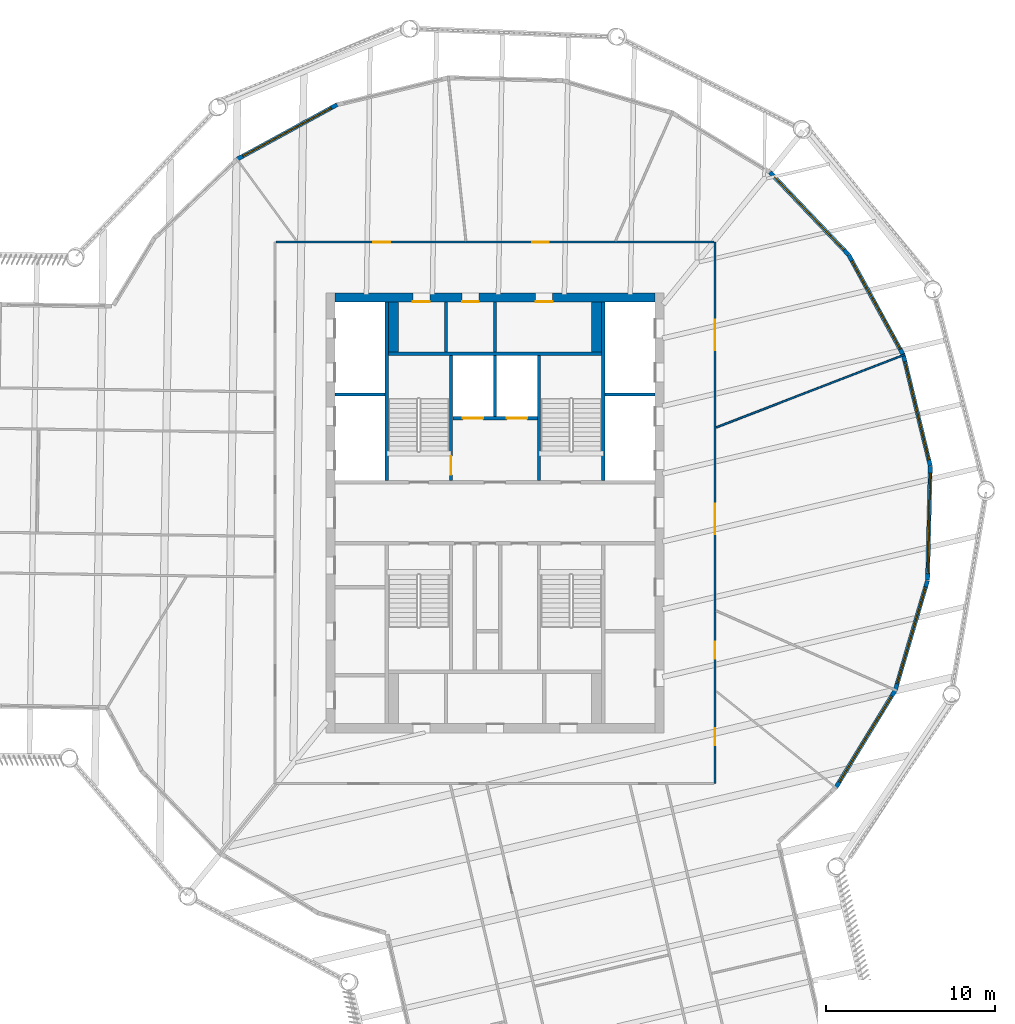
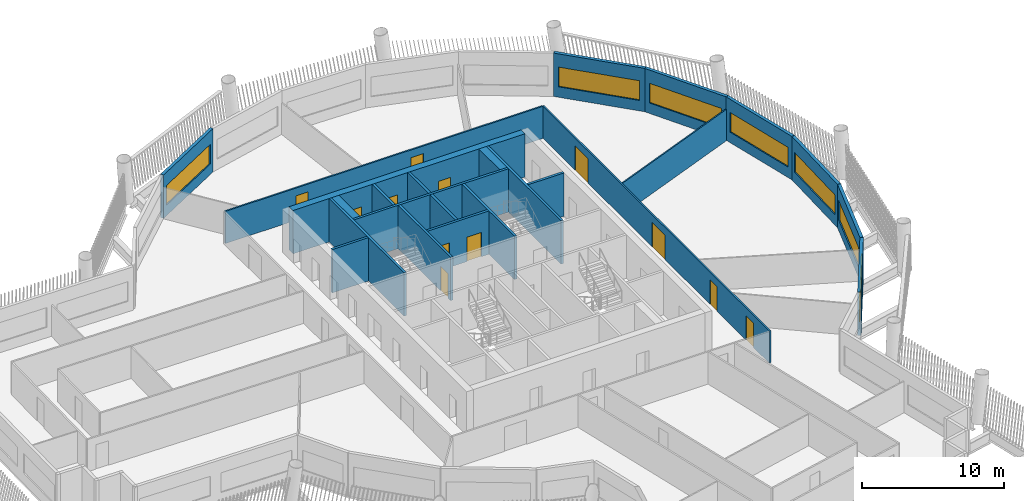
# One storey, part 6 of 15: 24 walls, 12 doors, 7 windows, 19 openings.
"""IFC4 building model written with IfcOpenShell, lengths in metres."""

import ifcopenshell
import ifcopenshell.guid

model = None  # the IFC model being written
_history = None  # IfcOwnerHistory: only IFC2X3 demands one
_inside = {}  # id of a spatial element -> (the spatial element, [elements in it])
_under = {}  # id of a project, library or spatial element -> (it, [spatial elements below it])
_declared = {}  # id of a project -> (the project, [libraries it declares])
_typed = {}  # id of a type object -> (the type object, [elements of that type])
_made_of = {}  # id of a material, layer set ... -> (it, [elements and type objects made of it])


def new_model(schema):
    """Start an empty IFC model of exactly this schema.

    Asked for "IFC4X3", IfcOpenShell would pick the latest addendum, in which some entities
    have other attributes; the version numbers below select the first issue.
    IFC2X3 requires an IfcOwnerHistory on every rooted entity: one is made here for all.
    """
    global model, _history
    if schema == "IFC4X3":
        model = ifcopenshell.file(schema_version=(4, 3, 0, 0))
    else:
        model = ifcopenshell.file(schema=schema)
    _inside.clear()
    _under.clear()
    _declared.clear()
    _typed.clear()
    _made_of.clear()
    _history = None
    if model.schema == "IFC2X3":
        org = make("IfcOrganization", Name="unknown")
        user = make(
            "IfcPersonAndOrganization",
            ThePerson=make("IfcPerson", FamilyName="unknown"),
            TheOrganization=org,
        )
        app = make(
            "IfcApplication",
            ApplicationDeveloper=org,
            Version="unknown",
            ApplicationFullName="unknown",
            ApplicationIdentifier="unknown",
        )
        _history = make(
            "IfcOwnerHistory",
            OwningUser=user,
            OwningApplication=app,
            ChangeAction="ADDED",
            CreationDate=0,
        )
    return model


def make(cls, **values):
    """One entity of the class cls with the attributes given. An attribute that is None is left unset."""
    return model.create_entity(
        cls, **{name: value for name, value in values.items() if value is not None}
    )


def rooted(cls, **values):
    """An entity with a GlobalId (a new one), such as an element, a storey or a relation."""
    return make(cls, GlobalId=ifcopenshell.guid.new(), OwnerHistory=_history, **values)


def si_unit(unit_type, name, prefix=None):
    """IfcSIUnit, for example si_unit("LENGTHUNIT", "METRE", prefix="MILLI")."""
    return make("IfcSIUnit", UnitType=unit_type, Prefix=prefix, Name=name)


def assignment(units):
    """IfcUnitAssignment: the units of a project."""
    return None if units is None else make("IfcUnitAssignment", Units=units)


def point(xyz):
    """IfcCartesianPoint."""
    return None if xyz is None else make("IfcCartesianPoint", Coordinates=xyz)


def direction(xyz):
    """IfcDirection."""
    return None if xyz is None else make("IfcDirection", DirectionRatios=xyz)


def frame(location, z_axis=None, x_axis=None):
    """IfcAxis2Placement3D, a coordinate frame: its origin and axes. An axis left out is left unset."""
    return make(
        "IfcAxis2Placement3D",
        Location=point(location),
        Axis=direction(z_axis),
        RefDirection=direction(x_axis),
    )


def frame_2d(location, x_axis=None):
    """IfcAxis2Placement2D, a coordinate frame in the plane: its origin and x axis."""
    return make(
        "IfcAxis2Placement2D", Location=point(location), RefDirection=direction(x_axis)
    )


def origin():
    """The frame at (0, 0, 0) with its axes left unset."""
    return frame((0.0, 0.0, 0.0))


def place(relative_to, where):
    """IfcLocalPlacement: puts the frame where relative to a parent placement (None: the world)."""
    return make(
        "IfcLocalPlacement", PlacementRelTo=relative_to, RelativePlacement=where
    )


def context(
    kind, dimensions, precision=None, world=None, true_north=None, identifier=None
):
    """IfcGeometricRepresentationContext, for example the 3D "Model" context."""
    return make(
        "IfcGeometricRepresentationContext",
        ContextIdentifier=identifier,
        ContextType=kind,
        CoordinateSpaceDimension=dimensions,
        Precision=precision,
        WorldCoordinateSystem=world,
        TrueNorth=true_north,
    )


def subcontext(parent, identifier, kind, view, scale=None):
    """IfcGeometricRepresentationSubContext, for example "Body" below "Model"."""
    return make(
        "IfcGeometricRepresentationSubContext",
        ContextIdentifier=identifier,
        ContextType=kind,
        ParentContext=parent,
        TargetScale=scale,
        TargetView=view,
    )


def project(units=None, contexts=None):
    """IfcProject with its units and contexts."""
    return rooted(
        "IfcProject",
        Name="project",
        RepresentationContexts=contexts,
        UnitsInContext=assignment(units),
    )


def spatial(cls, under=None, at=None, **own):
    """A site, building, storey or space (cls), placed at a placement, below another one or the project."""
    s = rooted(cls, ObjectPlacement=at, **own)
    if under is not None:
        _under.setdefault(under.id(), (under, []))[1].append(s)
    return s


def profile(cls, at=None, kind="AREA", **sizes):
    """A parametric profile (cls). Its sizes go by their IFC names, for example OverallWidth=200.0."""
    return make(cls, ProfileType=kind, Position=at, **sizes)


def rectangle(**sizes):
    """IfcRectangleProfileDef."""
    return profile("IfcRectangleProfileDef", **sizes)


def extrude(swept, where, along, depth):
    """IfcExtrudedAreaSolid: the profile swept, set in the frame where, extruded along a direction by depth."""
    return make(
        "IfcExtrudedAreaSolid",
        SweptArea=swept,
        Position=where,
        ExtrudedDirection=direction(along),
        Depth=depth,
    )


def shape(context_of_items, identifier, shape_type, items):
    """IfcShapeRepresentation: the items that make up one representation, for example the "Body"."""
    return make(
        "IfcShapeRepresentation",
        ContextOfItems=context_of_items,
        RepresentationIdentifier=identifier,
        RepresentationType=shape_type,
        Items=items,
    )


def material(Name=None, Category=None):
    """IfcMaterial."""
    return make("IfcMaterial", Name=Name, Category=Category)


def layer(
    of_material, thickness, ventilated=None, Name=None, Category=None, Priority=None
):
    """IfcMaterialLayer: one layer of a wall or slab, of a material (None: an air gap)."""
    return make(
        "IfcMaterialLayer",
        Material=of_material,
        LayerThickness=thickness,
        IsVentilated=ventilated,
        Name=Name,
        Category=Category,
        Priority=Priority,
    )


def layer_set(layers, Name=None):
    """IfcMaterialLayerSet."""
    return make("IfcMaterialLayerSet", MaterialLayers=layers, LayerSetName=Name)


def made_of(thing, what):
    """Note that an element or type object is made of a material, layer set ...; save() writes the relation."""
    if what is not None:
        _made_of.setdefault(what.id(), (what, []))[1].append(thing)
    return thing


def type_object(cls, material=None, **own):
    """A type object (cls), such as IfcWallType, which elements share."""
    return made_of(rooted(cls, **own), material)


def element(
    cls,
    number,
    at=None,
    inside=None,
    cuts=None,
    type_object=None,
    material=None,
    context=None,
    identifier="Body",
    shape_type=None,
    held_by="IfcProductDefinitionShape",
    body=None,
    shapes=None,
    **own,
):
    """One element of the class cls, such as IfcWall. Its Tag is "e" and its number.

    at: its placement. inside: the storey or other place that contains it. cuts: it is an
    opening in that element (IfcRelVoidsElement). A single representation is given by context,
    identifier, shape_type and body (its items); several are given by shapes. held_by: the class
    of the entity that holds the representations. save() writes the other relations.
    """
    e = rooted(cls, Tag="e%d" % number, ObjectPlacement=at, **own)
    if body is not None:
        shapes = [shape(context, identifier, shape_type, body)]
    if shapes is not None:
        e.Representation = make(held_by, Representations=shapes)
    if inside is not None:
        _inside.setdefault(inside.id(), (inside, []))[1].append(e)
    if cuts is not None:
        rooted(
            "IfcRelVoidsElement", RelatingBuildingElement=cuts, RelatedOpeningElement=e
        )
    if type_object is not None:
        _typed.setdefault(type_object.id(), (type_object, []))[1].append(e)
    return made_of(e, material)


def fill(opening, filler):
    """IfcRelFillsElement: the door or window that sits in an opening."""
    return rooted(
        "IfcRelFillsElement",
        RelatingOpeningElement=opening,
        RelatedBuildingElement=filler,
    )


def aggregate(whole, parts):
    """IfcRelAggregates: a whole, such as a stair, and the parts it consists of."""
    return rooted("IfcRelAggregates", RelatingObject=whole, RelatedObjects=parts)


def save(model, path):
    """Write the relations noted so far, then the file.

    IfcRelAggregates (storeys below a building ...), IfcRelContainedInSpatialStructure (elements
    in a storey), IfcRelDefinesByType, IfcRelAssociatesMaterial and IfcRelDeclares: one each for
    every whole, place, type object, material and project.
    """
    for whole, parts in _under.values():
        aggregate(whole, parts)
    for where, things in _inside.values():
        rooted(
            "IfcRelContainedInSpatialStructure",
            RelatedElements=things,
            RelatingStructure=where,
        )
    for kind, things in _typed.values():
        rooted("IfcRelDefinesByType", RelatedObjects=things, RelatingType=kind)
    for what, things in _made_of.values():
        rooted("IfcRelAssociatesMaterial", RelatedObjects=things, RelatingMaterial=what)
    for by, libraries in _declared.values():
        rooted("IfcRelDeclares", RelatingContext=by, RelatedDefinitions=libraries)
    model.write(path)


model = new_model("IFC4")

# Units and contexts
model_context = context("Model", 3, precision=1e-05, world=origin(), true_north=direction((0.0, 1.0)))
body_context = subcontext(model_context, "Body", "Model", "MODEL_VIEW")
ifc_project = project(units=[si_unit("LENGTHUNIT", "METRE"), si_unit("AREAUNIT", "SQUARE_METRE"), si_unit("VOLUMEUNIT", "CUBIC_METRE"), si_unit("PLANEANGLEUNIT", "RADIAN"), si_unit("MASSUNIT", "GRAM", prefix="KILO")], contexts=[model_context])

# Site, building, storey
site_placement = place(None, origin())
site = spatial("IfcSite", under=ifc_project, at=site_placement, CompositionType="ELEMENT")
building_placement = place(site_placement, origin())
building = spatial("IfcBuilding", under=site, at=building_placement, Name="Tarsis Ring Headquarters", CompositionType="ELEMENT")
storey_placement = place(building_placement, frame((0.0, 0.0, 282.5)))
storey = spatial("IfcBuildingStorey", under=building, at=storey_placement, Name="L66", CompositionType="ELEMENT", Elevation=282.5)

# Walls
ifc_material_1 = material(Name="Blockwork", Category="masonry")
ifc_layer_1 = layer(ifc_material_1, 0.199951171875)
ifc_layer_set_1 = layer_set([ifc_layer_1], Name="Core blockwork wall 200")
wall_type_1 = type_object("IfcWallType", Name="Core blockwork wall 200", PredefinedType="PARTITIONING", material=ifc_layer_set_1)
for number, where, z_axis, x_axis, name in (
    (1, (-2.89990234375, 9.5, 0.0), (0.0, 0.0, 1.0), (0.0, 1.0, 0.0), "Core partition ND1"),
    (2, (0.0, 9.5, 0.0), (0.0, 0.0, 1.0), (0.0, 1.0, 0.0), "Core partition ND2"),
):
    element("IfcWall", number, at=place(storey_placement, frame(where, z_axis=z_axis, x_axis=x_axis)), inside=storey, type_object=wall_type_1, Name=name, PredefinedType="PARTITIONING", context=body_context, shape_type="SweptSolid", body=[
        extrude(rectangle(XDim=2.949951171875, YDim=0.199951171875, at=frame_2d((1.47509765625, 0.0))), origin(), (0.0, 0.0, 1.0), 3.739990234375),
    ])

# Wall, openings, doors
ifc_material_2 = material(Name="Concrete C50/60", Category="concrete")
ifc_layer_2 = layer(ifc_material_2, 0.550048828125)
ifc_layer_set_2 = layer_set([ifc_layer_2], Name="Core wall 550 C50/60")
wall_type_2 = type_object("IfcWallType", Name="Core wall 550 C50/60", PredefinedType="SHEAR", material=ifc_layer_set_2)
wall_1_placement = place(storey_placement, frame((-9.449951171875, 12.72509765625, 0.0), z_axis=(0.0, 0.0, 1.0), x_axis=(1.0, 0.0, 0.0)))
wall_1 = element("IfcWall", 3, at=wall_1_placement, inside=storey, type_object=wall_type_2, Name="Core wall ON", PredefinedType="SHEAR", context=body_context, shape_type="SweptSolid", body=[
    extrude(rectangle(XDim=18.89990234375, YDim=0.550048828125, at=frame_2d((9.449951171875, 0.0))), origin(), (0.0, 0.0, 1.0), 3.739990234375),
])
opening_1_placement = place(wall_1_placement, frame((4.60009765625, 0.0, 0.0)))
opening_1 = element("IfcOpeningElement", 4, at=opening_1_placement, cuts=wall_1, Name="Opening L66-C16", PredefinedType="OPENING", context=body_context, shape_type="SweptSolid", body=[
    extrude(rectangle(XDim=1.0, YDim=2.10009765625, at=frame_2d((0.5, 1.050048828125))), frame((0.0, 0.284912109375, 0.0), z_axis=(0.0, -1.0, 0.0), x_axis=(1.0, 0.0, 0.0)), (0.0, 0.0, 1.0), 0.570068359375),
])
opening_2_placement = place(wall_1_placement, frame((7.5, 0.0, 0.0)))
opening_2 = element("IfcOpeningElement", 5, at=opening_2_placement, cuts=wall_1, Name="Opening L66-C17", PredefinedType="OPENING", context=body_context, shape_type="SweptSolid", body=[
    extrude(rectangle(XDim=1.0, YDim=2.10009765625, at=frame_2d((0.5, 1.050048828125))), frame((0.0, 0.284912109375, 0.0), z_axis=(0.0, -1.0, 0.0), x_axis=(1.0, 0.0, 0.0)), (0.0, 0.0, 1.0), 0.570068359375),
])
opening_3_placement = place(wall_1_placement, frame((11.85009765625, 0.0, 0.0)))
opening_3 = element("IfcOpeningElement", 6, at=opening_3_placement, cuts=wall_1, Name="Opening L66-C18", PredefinedType="OPENING", context=body_context, shape_type="SweptSolid", body=[
    extrude(rectangle(XDim=1.0, YDim=2.10009765625, at=frame_2d((0.5, 1.050048828125))), frame((0.0, 0.284912109375, 0.0), z_axis=(0.0, -1.0, 0.0), x_axis=(1.0, 0.0, 0.0)), (0.0, 0.0, 1.0), 0.570068359375),
])
ifc_material_3 = material(Name="Steel S355", Category="steel")
door_type_1 = type_object("IfcDoorType", Name="Core room door 1000x2100", OperationType="SINGLE_SWING_LEFT", PredefinedType="DOOR", material=ifc_material_3)
door_1_placement = place(opening_1_placement, origin())
door_1 = element("IfcDoor", 7, at=door_1_placement, inside=storey, type_object=door_type_1, Name="Core room door L66", OperationType="SINGLE_SWING_LEFT", OverallHeight=2.10009765625, OverallWidth=1.0, PredefinedType="DOOR", context=body_context, shape_type="SweptSolid", body=[
    extrude(rectangle(XDim=1.0, YDim=2.10009765625, at=frame_2d((0.5, 1.050048828125))), frame((0.0, -0.22509765625, 0.0), z_axis=(0.0, -1.0, 0.0), x_axis=(1.0, 0.0, 0.0)), (0.0, 0.0, 1.0), 0.050048828125),
])
fill(opening_1, door_1)
door_2_placement = place(opening_2_placement, origin())
door_2 = element("IfcDoor", 8, at=door_2_placement, inside=storey, type_object=door_type_1, Name="Core room door L66", OperationType="SINGLE_SWING_LEFT", OverallHeight=2.10009765625, OverallWidth=1.0, PredefinedType="DOOR", context=body_context, shape_type="SweptSolid", body=[
    extrude(rectangle(XDim=1.0, YDim=2.10009765625, at=frame_2d((0.5, 1.050048828125))), frame((0.0, -0.22509765625, 0.0), z_axis=(0.0, -1.0, 0.0), x_axis=(1.0, 0.0, 0.0)), (0.0, 0.0, 1.0), 0.050048828125),
])
fill(opening_2, door_2)
door_3_placement = place(opening_3_placement, origin())
door_3 = element("IfcDoor", 9, at=door_3_placement, inside=storey, type_object=door_type_1, Name="Core room door L66", OperationType="SINGLE_SWING_LEFT", OverallHeight=2.10009765625, OverallWidth=1.0, PredefinedType="DOOR", context=body_context, shape_type="SweptSolid", body=[
    extrude(rectangle(XDim=1.0, YDim=2.10009765625, at=frame_2d((0.5, 1.050048828125))), frame((0.0, -0.22509765625, 0.0), z_axis=(0.0, -1.0, 0.0), x_axis=(1.0, 0.0, 0.0)), (0.0, 0.0, 1.0), 0.050048828125),
])
fill(opening_3, door_3)

# Wall
ifc_material_4 = material(Name="Gypsum board on steel studs", Category="steel")
ifc_layer_3 = layer(ifc_material_4, 0.10009765625)
ifc_layer_set_3 = layer_set([ifc_layer_3], Name="FL partition 100 unrated")
wall_type_3 = type_object("IfcWallType", Name="FL partition 100 unrated", PredefinedType="PARTITIONING", material=ifc_layer_set_3)
wall_2_placement = place(storey_placement, frame((13.07470703125, 5.05029296875, 0.0), z_axis=(0.0, 0.0, 1.0), x_axis=(0.932825177913, 0.360329276428, 0.0)))
element("IfcWall", 10, at=wall_2_placement, inside=storey, type_object=wall_type_3, Name="Partition PW3", PredefinedType="PARTITIONING", context=body_context, shape_type="SweptSolid", body=[
    extrude(rectangle(XDim=11.931640625, YDim=0.10009765625, at=frame_2d((5.9658203125, 0.0))), origin(), (0.0, 0.0, 1.0), 2.699951171875),
])

# Wall, openings, doors
ifc_layer_4 = layer(ifc_material_4, 0.125)
ifc_layer_set_4 = layer_set([ifc_layer_4], Name="FL partition 125 EI 60 H2770")
wall_type_4 = type_object("IfcWallType", Name="FL partition 125 EI 60 H2770", PredefinedType="PARTITIONING", material=ifc_layer_set_4)
wall_3_placement = place(storey_placement, frame((13.0, -16.0, 0.0), z_axis=(0.0, 0.0, 1.0), x_axis=(0.0, 1.0, 0.0)))
wall_3 = element("IfcWall", 11, at=wall_3_placement, inside=storey, type_object=wall_type_4, Name="Partition PW1", PredefinedType="PARTITIONING", context=body_context, shape_type="SweptSolid", body=[
    extrude(rectangle(XDim=32.0, YDim=0.125, at=frame_2d((16.0, 0.0))), origin(), (0.0, 0.0, 1.0), 2.77001953125),
])
opening_4_placement = place(wall_3_placement, frame((25.610595703125, 0.0, 0.0)))
opening_4 = element("IfcOpeningElement", 12, at=opening_4_placement, cuts=wall_3, Name="Opening D66.06", PredefinedType="OPENING", context=body_context, shape_type="SweptSolid", body=[
    extrude(rectangle(XDim=1.800048828125, YDim=2.10009765625, at=frame_2d((0.89990234375, 1.050048828125))), frame((0.0, 0.072509765625, 0.0), z_axis=(0.0, -1.0, 0.0), x_axis=(1.0, 0.0, 0.0)), (0.0, 0.0, 1.0), 0.14501953125),
])
opening_5_placement = place(wall_3_placement, frame((14.733154296875, 0.0, 0.0)))
opening_5 = element("IfcOpeningElement", 13, at=opening_5_placement, cuts=wall_3, Name="Opening D66.07", PredefinedType="OPENING", context=body_context, shape_type="SweptSolid", body=[
    extrude(rectangle(XDim=1.800048828125, YDim=2.10009765625, at=frame_2d((0.89990234375, 1.050048828125))), frame((0.0, 0.072509765625, 0.0), z_axis=(0.0, -1.0, 0.0), x_axis=(1.0, 0.0, 0.0)), (0.0, 0.0, 1.0), 0.14501953125),
])
opening_6_placement = place(wall_3_placement, frame((7.381103515625, 0.0, 0.0)))
opening_6 = element("IfcOpeningElement", 14, at=opening_6_placement, cuts=wall_3, Name="Opening D66.08", PredefinedType="OPENING", context=body_context, shape_type="SweptSolid", body=[
    extrude(rectangle(XDim=1.0, YDim=2.10009765625, at=frame_2d((0.5, 1.050048828125))), frame((0.0, 0.072509765625, 0.0), z_axis=(0.0, -1.0, 0.0), x_axis=(1.0, 0.0, 0.0)), (0.0, 0.0, 1.0), 0.14501953125),
])
opening_7_placement = place(wall_3_placement, frame((2.2587890625, 0.0, 0.0)))
opening_7 = element("IfcOpeningElement", 15, at=opening_7_placement, cuts=wall_3, Name="Opening D66.09", PredefinedType="OPENING", context=body_context, shape_type="SweptSolid", body=[
    extrude(rectangle(XDim=1.0, YDim=2.10009765625, at=frame_2d((0.5, 1.050048828125))), frame((0.0, 0.072509765625, 0.0), z_axis=(0.0, -1.0, 0.0), x_axis=(1.0, 0.0, 0.0)), (0.0, 0.0, 1.0), 0.14501953125),
])
ifc_material_5 = material(Name="Fire-rated timber door leaf in steel frame", Category="steel")
door_type_2 = type_object("IfcDoorType", Name="FL door FD60-1000", OperationType="NOTDEFINED", PredefinedType="DOOR", material=ifc_material_5)
door_4_placement = place(opening_6_placement, origin())
door_4 = element("IfcDoor", 16, at=door_4_placement, inside=storey, type_object=door_type_2, Name="Door D66.08", OperationType="SINGLE_SWING_RIGHT", OverallHeight=2.10009765625, OverallWidth=1.0, PredefinedType="DOOR", context=body_context, shape_type="SweptSolid", body=[
    extrude(rectangle(XDim=1.0, YDim=2.10009765625, at=frame_2d((0.5, 1.050048828125))), frame((0.0, 0.02490234375, 0.0), z_axis=(0.0, -1.0, 0.0), x_axis=(1.0, 0.0, 0.0)), (0.0, 0.0, 1.0), 0.050048828125),
])
fill(opening_6, door_4)
door_5_placement = place(opening_7_placement, origin())
door_5 = element("IfcDoor", 17, at=door_5_placement, inside=storey, type_object=door_type_2, Name="Door D66.09", OperationType="SINGLE_SWING_LEFT", OverallHeight=2.10009765625, OverallWidth=1.0, PredefinedType="DOOR", context=body_context, shape_type="SweptSolid", body=[
    extrude(rectangle(XDim=1.0, YDim=2.10009765625, at=frame_2d((0.5, 1.050048828125))), frame((0.0, 0.02490234375, 0.0), z_axis=(0.0, -1.0, 0.0), x_axis=(1.0, 0.0, 0.0)), (0.0, 0.0, 1.0), 0.050048828125),
])
fill(opening_7, door_5)
door_type_3 = type_object("IfcDoorType", Name="FL door FD60-1800", OperationType="DOUBLE_DOOR_SINGLE_SWING", PredefinedType="DOOR", material=ifc_material_5)
door_6_placement = place(opening_4_placement, origin())
door_6 = element("IfcDoor", 18, at=door_6_placement, inside=storey, type_object=door_type_3, Name="Door D66.06", OperationType="DOUBLE_DOOR_SINGLE_SWING", OverallHeight=2.10009765625, OverallWidth=1.800048828125, PredefinedType="DOOR", context=body_context, shape_type="SweptSolid", body=[
    extrude(rectangle(XDim=1.800048828125, YDim=2.10009765625, at=frame_2d((0.89990234375, 1.050048828125))), frame((0.0, 0.02490234375, 0.0), z_axis=(0.0, -1.0, 0.0), x_axis=(1.0, 0.0, 0.0)), (0.0, 0.0, 1.0), 0.050048828125),
])
fill(opening_4, door_6)
door_7_placement = place(opening_5_placement, origin())
door_7 = element("IfcDoor", 19, at=door_7_placement, inside=storey, type_object=door_type_3, Name="Door D66.07", OperationType="DOUBLE_DOOR_SINGLE_SWING", OverallHeight=2.10009765625, OverallWidth=1.800048828125, PredefinedType="DOOR", context=body_context, shape_type="SweptSolid", body=[
    extrude(rectangle(XDim=1.800048828125, YDim=2.10009765625, at=frame_2d((0.89990234375, 1.050048828125))), frame((0.0, 0.02490234375, 0.0), z_axis=(0.0, -1.0, 0.0), x_axis=(1.0, 0.0, 0.0)), (0.0, 0.0, 1.0), 0.050048828125),
])
fill(opening_5, door_7)

wall_4_placement = place(storey_placement, frame((-12.93994140625, 16.0, 0.0), z_axis=(0.0, 0.0, 1.0), x_axis=(1.0, 0.0, 0.0)))
wall_4 = element("IfcWall", 20, at=wall_4_placement, inside=storey, type_object=wall_type_4, Name="Partition PW1", PredefinedType="PARTITIONING", context=body_context, shape_type="SweptSolid", body=[
    extrude(rectangle(XDim=25.8798828125, YDim=0.125, at=frame_2d((12.93994140625, 0.0))), origin(), (0.0, 0.0, 1.0), 2.77001953125),
])
opening_8_placement = place(wall_4_placement, frame((5.744140625, 0.0, 0.0)))
opening_8 = element("IfcOpeningElement", 21, at=opening_8_placement, cuts=wall_4, Name="Opening D66.04", PredefinedType="OPENING", context=body_context, shape_type="SweptSolid", body=[
    extrude(rectangle(XDim=1.0, YDim=2.10009765625, at=frame_2d((0.5, 1.050048828125))), frame((0.0, 0.072509765625, 0.0), z_axis=(0.0, -1.0, 0.0), x_axis=(1.0, 0.0, 0.0)), (0.0, 0.0, 1.0), 0.14501953125),
])
opening_9_placement = place(wall_4_placement, frame((15.1240234375, 0.0, 0.0)))
opening_9 = element("IfcOpeningElement", 22, at=opening_9_placement, cuts=wall_4, Name="Opening D66.05", PredefinedType="OPENING", context=body_context, shape_type="SweptSolid", body=[
    extrude(rectangle(XDim=1.0, YDim=2.10009765625, at=frame_2d((0.5, 1.050048828125))), frame((0.0, 0.072509765625, 0.0), z_axis=(0.0, -1.0, 0.0), x_axis=(1.0, 0.0, 0.0)), (0.0, 0.0, 1.0), 0.14501953125),
])
door_8_placement = place(opening_8_placement, origin())
door_8 = element("IfcDoor", 23, at=door_8_placement, inside=storey, type_object=door_type_2, Name="Door D66.04", OperationType="SINGLE_SWING_RIGHT", OverallHeight=2.10009765625, OverallWidth=1.0, PredefinedType="DOOR", context=body_context, shape_type="SweptSolid", body=[
    extrude(rectangle(XDim=1.0, YDim=2.10009765625, at=frame_2d((0.5, 1.050048828125))), frame((0.0, 0.02490234375, 0.0), z_axis=(0.0, -1.0, 0.0), x_axis=(1.0, 0.0, 0.0)), (0.0, 0.0, 1.0), 0.050048828125),
])
fill(opening_8, door_8)
door_9_placement = place(opening_9_placement, origin())
door_9 = element("IfcDoor", 24, at=door_9_placement, inside=storey, type_object=door_type_2, Name="Door D66.05", OperationType="SINGLE_SWING_LEFT", OverallHeight=2.10009765625, OverallWidth=1.0, PredefinedType="DOOR", context=body_context, shape_type="SweptSolid", body=[
    extrude(rectangle(XDim=1.0, YDim=2.10009765625, at=frame_2d((0.5, 1.050048828125))), frame((0.0, 0.02490234375, 0.0), z_axis=(0.0, -1.0, 0.0), x_axis=(1.0, 0.0, 0.0)), (0.0, 0.0, 1.0), 0.050048828125),
])
fill(opening_9, door_9)

# Wall, opening, window
ifc_material_6 = material(Name="Terracotta clad insulated panel wall", Category="masonry")
ifc_layer_5 = layer(ifc_material_6, 0.25)
ifc_layer_set_5 = layer_set([ifc_layer_5], Name="Facade wall terracotta panel 250")
wall_type_5 = type_object("IfcWallType", Name="Facade wall terracotta panel 250", PredefinedType="STANDARD", material=ifc_layer_set_5)
wall_5_placement = place(storey_placement, frame((20.150390625, -16.226806640625, 0.0), z_axis=(0.0, 0.0, 1.0), x_axis=(0.520704934472, 0.853736710712, 0.0)))
wall_5 = element("IfcWall", 25, at=wall_5_placement, inside=storey, type_object=wall_type_5, Name="External wall L66-18", PredefinedType="STANDARD", context=body_context, shape_type="SweptSolid", body=[
    extrude(rectangle(XDim=6.7216796875, YDim=0.25, at=frame_2d((3.36083984375, 0.0))), origin(), (0.0, 0.0, 1.0), 3.739990234375),
])
opening_10_placement = place(wall_5_placement, frame((0.3857421875, 0.0, 0.89990234375)))
opening_10 = element("IfcOpeningElement", 26, at=opening_10_placement, cuts=wall_5, Name="Opening WN07", PredefinedType="OPENING", context=body_context, shape_type="SweptSolid", body=[
    extrude(rectangle(XDim=5.949951171875, YDim=1.699951171875, at=frame_2d((2.97509765625, 0.85009765625))), frame((0.0, 0.135009765625, 0.0), z_axis=(0.0, -1.0, 0.0), x_axis=(1.0, 0.0, 0.0)), (0.0, 0.0, 1.0), 0.27001953125),
])
ifc_material_7 = material(Name="Aluminium framed double glazing", Category="aluminium")
window_type = type_object("IfcWindowType", Name="Facade window 5950 x 1700", PartitioningType="SINGLE_PANEL", PredefinedType="WINDOW", material=ifc_material_7)
window_1_placement = place(opening_10_placement, origin())
window_1 = element("IfcWindow", 27, at=window_1_placement, inside=storey, type_object=window_type, Name="Window L66-18.1", OverallHeight=1.699951171875, OverallWidth=5.949951171875, PartitioningType="SINGLE_PANEL", PredefinedType="WINDOW", context=body_context, shape_type="SweptSolid", body=[
    extrude(rectangle(XDim=5.949951171875, YDim=1.699951171875, at=frame_2d((2.97509765625, 0.85009765625))), frame((0.0, 0.030029296875, 0.0), z_axis=(0.0, -1.0, 0.0), x_axis=(1.0, 0.0, 0.0)), (0.0, 0.0, 1.0), 0.06005859375),
])
fill(opening_10, window_1)

wall_6_placement = place(storey_placement, frame((23.66357421875, -10.45849609375, 0.0), z_axis=(0.0, 0.0, 1.0), x_axis=(0.282005068228, 0.959412915013, 0.0)))
wall_6 = element("IfcWall", 28, at=wall_6_placement, inside=storey, type_object=wall_type_5, Name="External wall L66-19", PredefinedType="STANDARD", context=body_context, shape_type="SweptSolid", body=[
    extrude(rectangle(XDim=6.721435546875, YDim=0.25, at=frame_2d((3.36083984375, 0.0))), origin(), (0.0, 0.0, 1.0), 3.739990234375),
])
opening_11_placement = place(wall_6_placement, frame((0.3857421875, 0.0, 0.89990234375)))
opening_11 = element("IfcOpeningElement", 29, at=opening_11_placement, cuts=wall_6, Name="Opening WN07", PredefinedType="OPENING", context=body_context, shape_type="SweptSolid", body=[
    extrude(rectangle(XDim=5.949951171875, YDim=1.699951171875, at=frame_2d((2.97509765625, 0.85009765625))), frame((0.0, 0.135009765625, 0.0), z_axis=(0.0, -1.0, 0.0), x_axis=(1.0, 0.0, 0.0)), (0.0, 0.0, 1.0), 0.27001953125),
])
window_2_placement = place(opening_11_placement, origin())
window_2 = element("IfcWindow", 30, at=window_2_placement, inside=storey, type_object=window_type, Name="Window L66-19.1", OverallHeight=1.699951171875, OverallWidth=5.949951171875, PartitioningType="SINGLE_PANEL", PredefinedType="WINDOW", context=body_context, shape_type="SweptSolid", body=[
    extrude(rectangle(XDim=5.949951171875, YDim=1.699951171875, at=frame_2d((2.97509765625, 0.85009765625))), frame((0.0, 0.030029296875, 0.0), z_axis=(0.0, -1.0, 0.0), x_axis=(1.0, 0.0, 0.0)), (0.0, 0.0, 1.0), 0.06005859375),
])
fill(opening_11, window_2)

wall_7_placement = place(storey_placement, frame((25.564208984375, -3.9775390625, 0.0), z_axis=(0.0, 0.0, 1.0), x_axis=(0.0240819577, 0.999709987603, 0.0)))
wall_7 = element("IfcWall", 31, at=wall_7_placement, inside=storey, type_object=wall_type_5, Name="External wall L66-20", PredefinedType="STANDARD", context=body_context, shape_type="SweptSolid", body=[
    extrude(rectangle(XDim=6.721435546875, YDim=0.25, at=frame_2d((3.36083984375, 0.0))), origin(), (0.0, 0.0, 1.0), 3.739990234375),
])
opening_12_placement = place(wall_7_placement, frame((0.3857421875, 0.0, 0.89990234375)))
opening_12 = element("IfcOpeningElement", 32, at=opening_12_placement, cuts=wall_7, Name="Opening WN07", PredefinedType="OPENING", context=body_context, shape_type="SweptSolid", body=[
    extrude(rectangle(XDim=5.949951171875, YDim=1.699951171875, at=frame_2d((2.97509765625, 0.85009765625))), frame((0.0, 0.135009765625, 0.0), z_axis=(0.0, -1.0, 0.0), x_axis=(1.0, 0.0, 0.0)), (0.0, 0.0, 1.0), 0.27001953125),
])
window_3_placement = place(opening_12_placement, origin())
window_3 = element("IfcWindow", 33, at=window_3_placement, inside=storey, type_object=window_type, Name="Window L66-20.1", OverallHeight=1.699951171875, OverallWidth=5.949951171875, PartitioningType="SINGLE_PANEL", PredefinedType="WINDOW", context=body_context, shape_type="SweptSolid", body=[
    extrude(rectangle(XDim=5.949951171875, YDim=1.699951171875, at=frame_2d((2.97509765625, 0.85009765625))), frame((0.0, 0.030029296875, 0.0), z_axis=(0.0, -1.0, 0.0), x_axis=(1.0, 0.0, 0.0)), (0.0, 0.0, 1.0), 0.06005859375),
])
fill(opening_12, window_3)

wall_8_placement = place(storey_placement, frame((25.72265625, 2.7744140625, 0.0), z_axis=(0.0, 0.0, 1.0), x_axis=(-0.235478392424, 0.971879584466, 0.0)))
wall_8 = element("IfcWall", 34, at=wall_8_placement, inside=storey, type_object=wall_type_5, Name="External wall L66-21", PredefinedType="STANDARD", context=body_context, shape_type="SweptSolid", body=[
    extrude(rectangle(XDim=6.721435546875, YDim=0.25, at=frame_2d((3.36083984375, 0.0))), origin(), (0.0, 0.0, 1.0), 3.739990234375),
])
opening_13_placement = place(wall_8_placement, frame((0.3857421875, 0.0, 0.89990234375)))
opening_13 = element("IfcOpeningElement", 35, at=opening_13_placement, cuts=wall_8, Name="Opening WN07", PredefinedType="OPENING", context=body_context, shape_type="SweptSolid", body=[
    extrude(rectangle(XDim=5.949951171875, YDim=1.699951171875, at=frame_2d((2.97509765625, 0.85009765625))), frame((0.0, 0.135009765625, 0.0), z_axis=(0.0, -1.0, 0.0), x_axis=(1.0, 0.0, 0.0)), (0.0, 0.0, 1.0), 0.27001953125),
])
window_4_placement = place(opening_13_placement, origin())
window_4 = element("IfcWindow", 36, at=window_4_placement, inside=storey, type_object=window_type, Name="Window L66-21.1", OverallHeight=1.699951171875, OverallWidth=5.949951171875, PartitioningType="SINGLE_PANEL", PredefinedType="WINDOW", context=body_context, shape_type="SweptSolid", body=[
    extrude(rectangle(XDim=5.949951171875, YDim=1.699951171875, at=frame_2d((2.97509765625, 0.85009765625))), frame((0.0, 0.030029296875, 0.0), z_axis=(0.0, -1.0, 0.0), x_axis=(1.0, 0.0, 0.0)), (0.0, 0.0, 1.0), 0.06005859375),
])
fill(opening_13, window_4)

wall_9_placement = place(storey_placement, frame((24.1279296875, 9.33740234375, 0.0), z_axis=(0.0, 0.0, 1.0), x_axis=(-0.47897682331, 0.877827547262, 0.0)))
wall_9 = element("IfcWall", 37, at=wall_9_placement, inside=storey, type_object=wall_type_5, Name="External wall L66-22", PredefinedType="STANDARD", context=body_context, shape_type="SweptSolid", body=[
    extrude(rectangle(XDim=6.7216796875, YDim=0.25, at=frame_2d((3.36083984375, 0.0))), origin(), (0.0, 0.0, 1.0), 3.739990234375),
])
opening_14_placement = place(wall_9_placement, frame((0.3857421875, 0.0, 0.89990234375)))
opening_14 = element("IfcOpeningElement", 38, at=opening_14_placement, cuts=wall_9, Name="Opening WN07", PredefinedType="OPENING", context=body_context, shape_type="SweptSolid", body=[
    extrude(rectangle(XDim=5.949951171875, YDim=1.699951171875, at=frame_2d((2.97509765625, 0.85009765625))), frame((0.0, 0.135009765625, 0.0), z_axis=(0.0, -1.0, 0.0), x_axis=(1.0, 0.0, 0.0)), (0.0, 0.0, 1.0), 0.27001953125),
])
window_5_placement = place(opening_14_placement, origin())
window_5 = element("IfcWindow", 39, at=window_5_placement, inside=storey, type_object=window_type, Name="Window L66-22.1", OverallHeight=1.699951171875, OverallWidth=5.949951171875, PartitioningType="SINGLE_PANEL", PredefinedType="WINDOW", context=body_context, shape_type="SweptSolid", body=[
    extrude(rectangle(XDim=5.949951171875, YDim=1.699951171875, at=frame_2d((2.97509765625, 0.85009765625))), frame((0.0, 0.030029296875, 0.0), z_axis=(0.0, -1.0, 0.0), x_axis=(1.0, 0.0, 0.0)), (0.0, 0.0, 1.0), 0.06005859375),
])
fill(opening_14, window_5)

wall_10_placement = place(storey_placement, frame((20.88916015625, 15.263916015625, 0.0), z_axis=(0.0, 0.0, 1.0), x_axis=(-0.689866467954, 0.723936638382, 0.0)))
wall_10 = element("IfcWall", 40, at=wall_10_placement, inside=storey, type_object=wall_type_5, Name="External wall L66-23", PredefinedType="STANDARD", context=body_context, shape_type="SweptSolid", body=[
    extrude(rectangle(XDim=6.721435546875, YDim=0.25, at=frame_2d((3.36083984375, 0.0))), origin(), (0.0, 0.0, 1.0), 3.739990234375),
])
opening_15_placement = place(wall_10_placement, frame((0.3857421875, 0.0, 0.89990234375)))
opening_15 = element("IfcOpeningElement", 41, at=opening_15_placement, cuts=wall_10, Name="Opening WN07", PredefinedType="OPENING", context=body_context, shape_type="SweptSolid", body=[
    extrude(rectangle(XDim=5.949951171875, YDim=1.699951171875, at=frame_2d((2.97509765625, 0.85009765625))), frame((0.0, 0.135009765625, 0.0), z_axis=(0.0, -1.0, 0.0), x_axis=(1.0, 0.0, 0.0)), (0.0, 0.0, 1.0), 0.27001953125),
])
window_6_placement = place(opening_15_placement, origin())
window_6 = element("IfcWindow", 42, at=window_6_placement, inside=storey, type_object=window_type, Name="Window L66-23.1", OverallHeight=1.699951171875, OverallWidth=5.949951171875, PartitioningType="SINGLE_PANEL", PredefinedType="WINDOW", context=body_context, shape_type="SweptSolid", body=[
    extrude(rectangle(XDim=5.949951171875, YDim=1.699951171875, at=frame_2d((2.97509765625, 0.85009765625))), frame((0.0, 0.030029296875, 0.0), z_axis=(0.0, -1.0, 0.0), x_axis=(1.0, 0.0, 0.0)), (0.0, 0.0, 1.0), 0.06005859375),
])
fill(opening_15, window_6)

wall_11_placement = place(storey_placement, frame((-9.33740234375, 24.1279296875, 0.0), z_axis=(0.0, 0.0, 1.0), x_axis=(-0.877827547262, -0.47897682331, 0.0)))
wall_11 = element("IfcWall", 43, at=wall_11_placement, inside=storey, type_object=wall_type_5, Name="External wall L66-28", PredefinedType="STANDARD", context=body_context, shape_type="SweptSolid", body=[
    extrude(rectangle(XDim=6.7216796875, YDim=0.25, at=frame_2d((3.36083984375, 0.0))), origin(), (0.0, 0.0, 1.0), 3.739990234375),
])
opening_16_placement = place(wall_11_placement, frame((0.3857421875, 0.0, 0.89990234375)))
opening_16 = element("IfcOpeningElement", 44, at=opening_16_placement, cuts=wall_11, Name="Opening WN07", PredefinedType="OPENING", context=body_context, shape_type="SweptSolid", body=[
    extrude(rectangle(XDim=5.949951171875, YDim=1.699951171875, at=frame_2d((2.97509765625, 0.85009765625))), frame((0.0, 0.135009765625, 0.0), z_axis=(0.0, -1.0, 0.0), x_axis=(1.0, 0.0, 0.0)), (0.0, 0.0, 1.0), 0.27001953125),
])
window_7_placement = place(opening_16_placement, origin())
window_7 = element("IfcWindow", 45, at=window_7_placement, inside=storey, type_object=window_type, Name="Window L66-28.1", OverallHeight=1.699951171875, OverallWidth=5.949951171875, PartitioningType="SINGLE_PANEL", PredefinedType="WINDOW", context=body_context, shape_type="SweptSolid", body=[
    extrude(rectangle(XDim=5.949951171875, YDim=1.699951171875, at=frame_2d((2.97509765625, 0.85009765625))), frame((0.0, 0.030029296875, 0.0), z_axis=(0.0, -1.0, 0.0), x_axis=(1.0, 0.0, 0.0)), (0.0, 0.0, 1.0), 0.06005859375),
])
fill(opening_16, window_7)

# Walls
ifc_material_8 = material(Name="Concrete C32/40", Category="concrete")
ifc_layer_6 = layer(ifc_material_8, 0.60009765625)
ifc_layer_set_6 = layer_set([ifc_layer_6], Name="Shaft end wall 600 C32/40")
wall_type_6 = type_object("IfcWallType", Name="Shaft end wall 600 C32/40", PredefinedType="SOLIDWALL", material=ifc_layer_set_6)
for number, where, z_axis, x_axis, name in (
    (46, (-6.0, 9.5, 0.0), (0.0, 0.0, 1.0), (0.0, 1.0, 0.0), "Core shaft wall NNE1"),
    (47, (6.0, 9.5, 0.0), (0.0, 0.0, 1.0), (0.0, 1.0, 0.0), "Core shaft wall NNE2"),
):
    element("IfcWall", number, at=place(storey_placement, frame(where, z_axis=z_axis, x_axis=x_axis)), inside=storey, type_object=wall_type_6, Name=name, PredefinedType="SOLIDWALL", context=body_context, shape_type="SweptSolid", body=[
        extrude(rectangle(XDim=2.949951171875, YDim=0.60009765625, at=frame_2d((1.47509765625, 0.0))), origin(), (0.0, 0.0, 1.0), 3.739990234375),
    ])
ifc_layer_7 = layer(ifc_material_8, 0.199951171875)
ifc_layer_set_7 = layer_set([ifc_layer_7], Name="Shaft wall 200 C32/40")
wall_type_7 = type_object("IfcWallType", Name="Shaft wall 200 C32/40", PredefinedType="SOLIDWALL", material=ifc_layer_set_7)
for number, where, z_axis, x_axis, name in (
    (48, (-6.39990234375, 1.89990234375, 0.0), (0.0, 0.0, 1.0), (0.0, 1.0, 0.0), "Core shaft wall WB2"),
    (49, (6.39990234375, 1.89990234375, 0.0), (0.0, 0.0, 1.0), (0.0, 1.0, 0.0), "Core shaft wall EB2"),
):
    element("IfcWall", number, at=place(storey_placement, frame(where, z_axis=z_axis, x_axis=x_axis)), inside=storey, type_object=wall_type_7, Name=name, PredefinedType="SOLIDWALL", context=body_context, shape_type="SweptSolid", body=[
        extrude(rectangle(XDim=10.550048828125, YDim=0.199951171875, at=frame_2d((5.27490234375, 0.0))), origin(), (0.0, 0.0, 1.0), 3.739990234375),
    ])
wall_12_placement = place(storey_placement, frame((-6.300048828125, 9.39990234375, 0.0), z_axis=(0.0, 0.0, 1.0), x_axis=(1.0, 0.0, 0.0)))
element("IfcWall", 50, at=wall_12_placement, inside=storey, type_object=wall_type_7, Name="Core shaft wall NB", PredefinedType="SOLIDWALL", context=body_context, shape_type="SweptSolid", body=[
    extrude(rectangle(XDim=12.60009765625, YDim=0.199951171875, at=frame_2d((6.300048828125, 0.0))), origin(), (0.0, 0.0, 1.0), 3.739990234375),
])

# Wall, opening, door
wall_13_placement = place(storey_placement, frame((-2.60009765625, 1.89990234375, 0.0), z_axis=(0.0, 0.0, 1.0), x_axis=(0.0, 1.0, 0.0)))
wall_13 = element("IfcWall", 51, at=wall_13_placement, inside=storey, type_object=wall_type_7, Name="Core shaft wall SW1", PredefinedType="SOLIDWALL", context=body_context, shape_type="SweptSolid", body=[
    extrude(rectangle(XDim=7.400146484375, YDim=0.199951171875, at=frame_2d((3.7001953125, 0.0))), origin(), (0.0, 0.0, 1.0), 3.739990234375),
])
opening_17_placement = place(wall_13_placement, frame((0.35009765625, 0.0, 0.0)))
opening_17 = element("IfcOpeningElement", 52, at=opening_17_placement, cuts=wall_13, Name="Opening L66-C30", PredefinedType="OPENING", context=body_context, shape_type="SweptSolid", body=[
    extrude(rectangle(XDim=1.10009765625, YDim=2.10009765625, at=frame_2d((0.550048828125, 1.050048828125))), frame((0.0, 0.10986328125, 0.0), z_axis=(0.0, -1.0, 0.0), x_axis=(1.0, 0.0, 0.0)), (0.0, 0.0, 1.0), 0.219970703125),
])
door_type_4 = type_object("IfcDoorType", Name="Stair door 1100x2100", OperationType="SINGLE_SWING_LEFT", PredefinedType="DOOR", material=ifc_material_3)
door_10_placement = place(opening_17_placement, origin())
door_10 = element("IfcDoor", 53, at=door_10_placement, inside=storey, type_object=door_type_4, Name="Stair door L66", OperationType="SINGLE_SWING_LEFT", OverallHeight=2.10009765625, OverallWidth=1.10009765625, PredefinedType="DOOR", context=body_context, shape_type="SweptSolid", body=[
    extrude(rectangle(XDim=1.10009765625, YDim=2.10009765625, at=frame_2d((0.550048828125, 1.050048828125))), frame((0.0, 0.02490234375, 0.0), z_axis=(0.0, -1.0, 0.0), x_axis=(1.0, 0.0, 0.0)), (0.0, 0.0, 1.0), 0.050048828125),
])
fill(opening_17, door_10)

# Wall
wall_14_placement = place(storey_placement, frame((2.60009765625, 1.89990234375, 0.0), z_axis=(0.0, 0.0, 1.0), x_axis=(0.0, 1.0, 0.0)))
element("IfcWall", 54, at=wall_14_placement, inside=storey, type_object=wall_type_7, Name="Core shaft wall SW2", PredefinedType="SOLIDWALL", context=body_context, shape_type="SweptSolid", body=[
    extrude(rectangle(XDim=7.400146484375, YDim=0.199951171875, at=frame_2d((3.7001953125, 0.0))), origin(), (0.0, 0.0, 1.0), 3.739990234375),
])

# Wall, openings, doors
wall_15_placement = place(storey_placement, frame((-2.5, 5.60009765625, 0.0), z_axis=(0.0, 0.0, 1.0), x_axis=(1.0, 0.0, 0.0)))
wall_15 = element("IfcWall", 55, at=wall_15_placement, inside=storey, type_object=wall_type_7, Name="Core shaft wall FFN", PredefinedType="SOLIDWALL", context=body_context, shape_type="SweptSolid", body=[
    extrude(rectangle(XDim=5.0, YDim=0.199951171875, at=frame_2d((2.5, 0.0))), origin(), (0.0, 0.0, 1.0), 3.739990234375),
])
opening_18_placement = place(wall_15_placement, frame((0.60009765625, 0.0, 0.0)))
opening_18 = element("IfcOpeningElement", 56, at=opening_18_placement, cuts=wall_15, Name="Opening LDF-1", PredefinedType="OPENING", context=body_context, shape_type="SweptSolid", body=[
    extrude(rectangle(XDim=1.199951171875, YDim=2.10009765625, at=frame_2d((0.60009765625, 1.050048828125))), frame((0.0, 0.10986328125, 0.0), z_axis=(0.0, -1.0, 0.0), x_axis=(1.0, 0.0, 0.0)), (0.0, 0.0, 1.0), 0.219970703125),
])
opening_19_placement = place(wall_15_placement, frame((3.199951171875, 0.0, 0.0)))
opening_19 = element("IfcOpeningElement", 57, at=opening_19_placement, cuts=wall_15, Name="Opening LDF-2", PredefinedType="OPENING", context=body_context, shape_type="SweptSolid", body=[
    extrude(rectangle(XDim=1.199951171875, YDim=2.10009765625, at=frame_2d((0.60009765625, 1.050048828125))), frame((0.0, 0.10986328125, 0.0), z_axis=(0.0, -1.0, 0.0), x_axis=(1.0, 0.0, 0.0)), (0.0, 0.0, 1.0), 0.219970703125),
])
door_type_5 = type_object("IfcDoorType", Name="Firefighting landing door 1200x2100", OperationType="SLIDING_TO_LEFT", PredefinedType="DOOR", material=ifc_material_3)
door_11_placement = place(opening_18_placement, origin())
door_11 = element("IfcDoor", 58, at=door_11_placement, inside=storey, type_object=door_type_5, Name="Landing door FF1 L66", OperationType="SLIDING_TO_LEFT", OverallHeight=2.10009765625, OverallWidth=1.199951171875, PredefinedType="DOOR", context=body_context, shape_type="SweptSolid", body=[
    extrude(rectangle(XDim=1.199951171875, YDim=2.10009765625, at=frame_2d((0.60009765625, 1.050048828125))), frame((0.0, 0.02490234375, 0.0), z_axis=(0.0, -1.0, 0.0), x_axis=(1.0, 0.0, 0.0)), (0.0, 0.0, 1.0), 0.050048828125),
])
fill(opening_18, door_11)
door_12_placement = place(opening_19_placement, origin())
door_12 = element("IfcDoor", 59, at=door_12_placement, inside=storey, type_object=door_type_5, Name="Landing door FF2 L66", OperationType="SLIDING_TO_LEFT", OverallHeight=2.10009765625, OverallWidth=1.199951171875, PredefinedType="DOOR", context=body_context, shape_type="SweptSolid", body=[
    extrude(rectangle(XDim=1.199951171875, YDim=2.10009765625, at=frame_2d((0.60009765625, 1.050048828125))), frame((0.0, 0.02490234375, 0.0), z_axis=(0.0, -1.0, 0.0), x_axis=(1.0, 0.0, 0.0)), (0.0, 0.0, 1.0), 0.050048828125),
])
fill(opening_19, door_12)

# Walls
wall_16_placement = place(storey_placement, frame((0.0, 5.699951171875, 0.0), z_axis=(0.0, 0.0, 1.0), x_axis=(0.0, 1.0, 0.0)))
element("IfcWall", 60, at=wall_16_placement, inside=storey, type_object=wall_type_7, Name="Core shaft wall FFD", PredefinedType="SOLIDWALL", context=body_context, shape_type="SweptSolid", body=[
    extrude(rectangle(XDim=3.60009765625, YDim=0.199951171875, at=frame_2d((1.800048828125, 0.0))), origin(), (0.0, 0.0, 1.0), 3.739990234375),
])
for number, where, z_axis, x_axis, name in (
    (61, (-9.449951171875, 7.0, 0.0), (0.0, 0.0, 1.0), (1.0, 0.0, 0.0), "Core shaft wall WD6"),
    (62, (6.5, 7.0, 0.0), (0.0, 0.0, 1.0), (1.0, 0.0, 0.0), "Core shaft wall ED6"),
):
    element("IfcWall", number, at=place(storey_placement, frame(where, z_axis=z_axis, x_axis=x_axis)), inside=storey, type_object=wall_type_7, Name=name, PredefinedType="SOLIDWALL", context=body_context, shape_type="SweptSolid", body=[
        extrude(rectangle(XDim=2.949951171875, YDim=0.199951171875, at=frame_2d((1.47509765625, 0.0))), origin(), (0.0, 0.0, 1.0), 3.739990234375),
    ])

save(model, "model.ifc")
